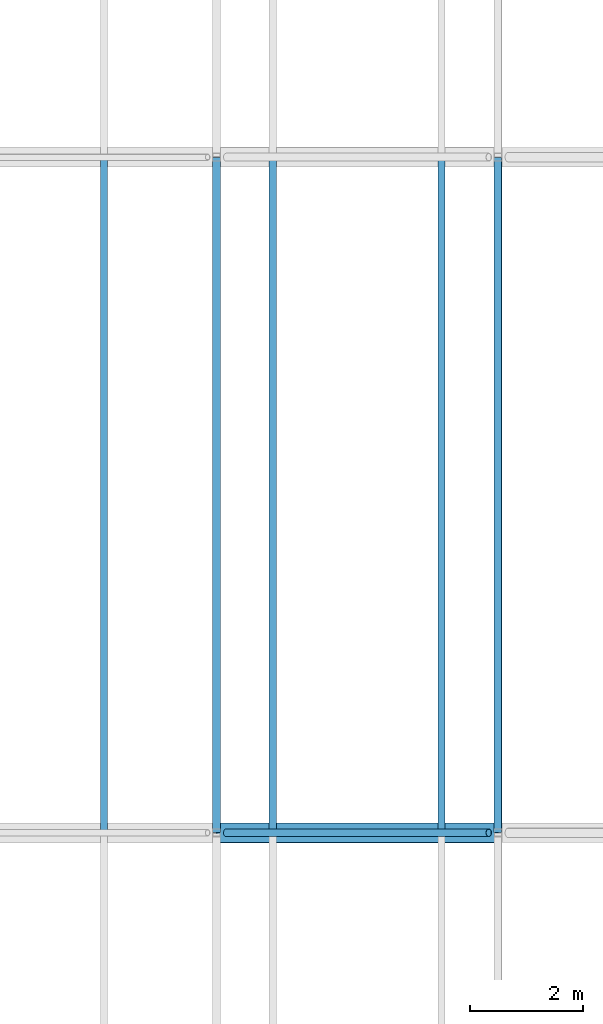
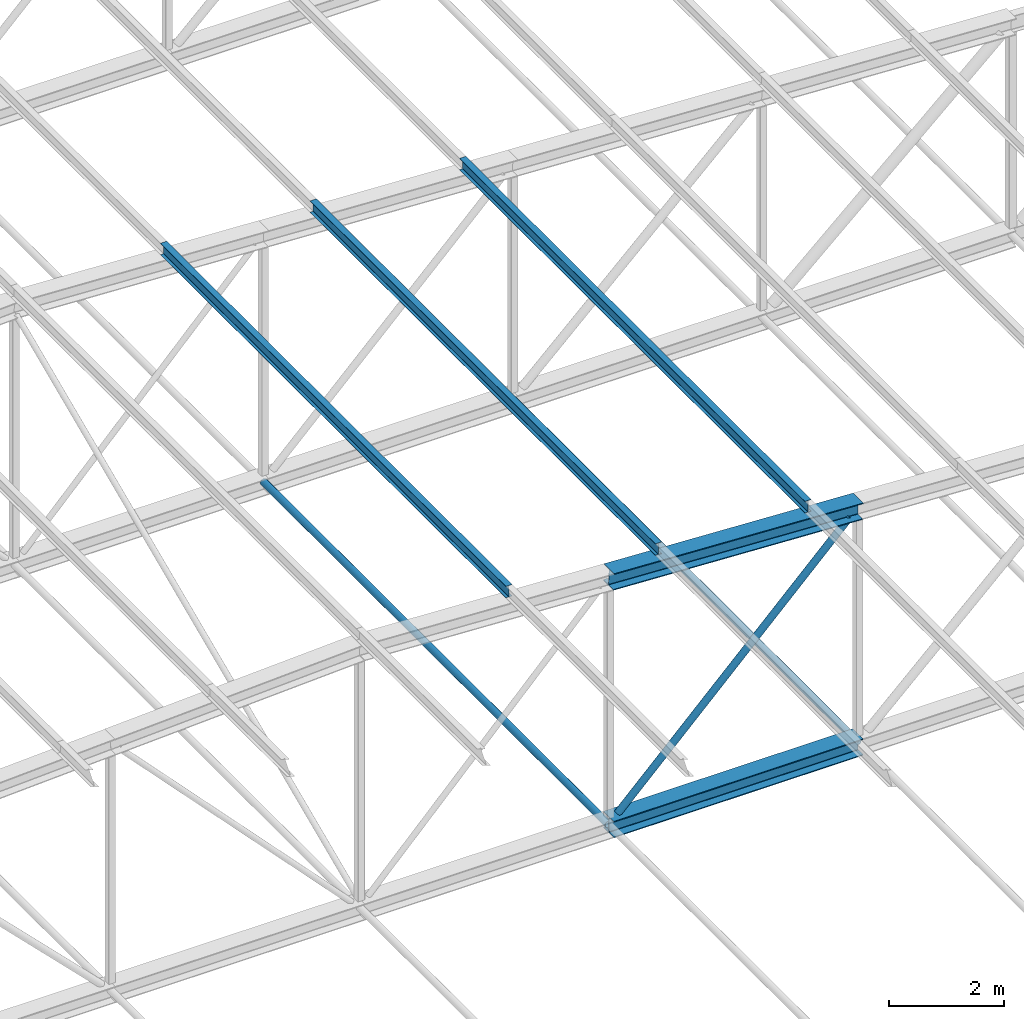
# One storey, part 58 of 156: 8 members.
"""IFC4 building model written with IfcOpenShell, lengths in metres."""

from ifc_helpers import new_model, si_unit, direction, frame, origin, origin_2d, place, context, subcontext, project, spatial, hollow_circle, i_section, extrude, material, material_profile, profile_set, type_object, element, save


model = new_model("IFC4")

# Units and contexts
model_context = context("Model", 3, precision=1e-05, world=origin(), true_north=direction((0.0, 1.0)))
body_context = subcontext(model_context, "Body", "Model", "MODEL_VIEW")
ifc_project = project(units=[si_unit("LENGTHUNIT", "METRE"), si_unit("AREAUNIT", "SQUARE_METRE"), si_unit("VOLUMEUNIT", "CUBIC_METRE"), si_unit("PLANEANGLEUNIT", "RADIAN"), si_unit("MASSUNIT", "GRAM", prefix="KILO")], contexts=[model_context])

# Site, building, storey
site_placement = place(None, origin())
site = spatial("IfcSite", under=ifc_project, at=site_placement, CompositionType="ELEMENT")
building_placement = place(site_placement, origin())
building = spatial("IfcBuilding", under=site, at=building_placement, Name="Lilac Gate Convention Centre", CompositionType="ELEMENT")
storey_placement = place(building_placement, frame((0.0, 0.0, 17.0)))
storey = spatial("IfcBuildingStorey", under=building, at=storey_placement, Name="L03", CompositionType="ELEMENT", Elevation=17.0)

# Members
ifc_material = material(Name="Steel Q355B", Category="steel")
ifc_material_profile_1 = material_profile(ifc_material, hollow_circle(Radius=0.06982421875, WallThickness=0.0048828125, at=origin_2d()), Name="CHS139.7x5")
ifc_profile_set_1 = profile_set([ifc_material_profile_1], Name="Steel Q355B")
member_type_1 = type_object("IfcMemberType", Name="Bottom chord tie CHS139.7x5", PredefinedType="STRUT", material=ifc_profile_set_1)
member_1_placement = place(storey_placement, frame((65.0, 102.009521484375, 0.0), z_axis=(0.0, 1.0, 0.0), x_axis=(-1.0, 0.0, 0.0)))
element("IfcMember", 1, at=member_1_placement, inside=storey, type_object=member_type_1, Name="ST1 tie bay 7 node 8", PredefinedType="STRUT", context=body_context, shape_type="SweptSolid", body=[
    extrude(hollow_circle(Radius=0.06982421875, WallThickness=0.0048828125, at=origin_2d()), origin(), (0.0, 0.0, 1.0), 11.98095703125),
])
member_2_placement = place(storey_placement, frame((70.0, 102.006103515625, 0.0), z_axis=(0.0, 1.0, 0.0), x_axis=(-1.0, 0.0, 0.0)))
element("IfcMember", 2, at=member_2_placement, inside=storey, type_object=member_type_1, Name="ST1 tie bay 7 node 9", PredefinedType="STRUT", context=body_context, shape_type="SweptSolid", body=[
    extrude(hollow_circle(Radius=0.06982421875, WallThickness=0.0048828125, at=origin_2d()), origin(), (0.0, 0.0, 1.0), 11.98779296875),
])
ifc_material_profile_2 = material_profile(ifc_material, i_section(OverallWidth=0.125, OverallDepth=0.25, WebThickness=0.006103515625, FlangeThickness=0.009033203125, FilletRadius=0.008056640625, at=origin_2d()), Name="HN250x125x6x9")
ifc_profile_set_2 = profile_set([ifc_material_profile_2], Name="Steel Q355B")
member_type_2 = type_object("IfcMemberType", Name="Roof purlin HN250x125x6x9", PredefinedType="PURLIN", material=ifc_profile_set_2)
for number, where, z_axis, x_axis, name in (
    (3, (63.0, 102.0, 5.650146484375), (0.0, 1.0, 0.0), (-1.0, 0.0, 0.0), "PU2 purlin bay 7 line 12"),
    (4, (66.0, 102.0, 5.500244140625), (0.0, 1.0, 0.0), (-1.0, 0.0, 0.0), "PU2 purlin bay 7 line 13"),
    (5, (69.0, 102.0, 5.35009765625), (0.0, 1.0, 0.0), (-1.0, 0.0, 0.0), "PU2 purlin bay 7 line 14"),
):
    element("IfcMember", number, at=place(storey_placement, frame(where, z_axis=z_axis, x_axis=x_axis)), inside=storey, type_object=member_type_2, Name=name, PredefinedType="PURLIN", context=body_context, shape_type="SweptSolid", body=[
        extrude(i_section(OverallWidth=0.125, OverallDepth=0.25, WebThickness=0.006103515625, FlangeThickness=0.009033203125, FilletRadius=0.008056640625, at=origin_2d()), origin(), (0.0, 0.0, 1.0), 12.0),
    ])
ifc_material_profile_3 = material_profile(ifc_material, i_section(OverallWidth=0.35693359375, OverallDepth=0.35009765625, WebThickness=0.01904296875, FlangeThickness=0.01904296875, FilletRadius=0.012939453125, at=origin_2d()), Name="HW350x357x19x19")
ifc_profile_set_3 = profile_set([ifc_material_profile_3], Name="Steel Q355B")
member_type_3 = type_object("IfcMemberType", Name="Truss bottom chord HW350x357x19x19", PredefinedType="CHORD", material=ifc_profile_set_3)
member_3_placement = place(storey_placement, frame((65.0, 102.0, 0.0), z_axis=(1.0, 0.0, 0.0), x_axis=(0.0, 1.0, 0.0)))
element("IfcMember", 6, at=member_3_placement, inside=storey, type_object=member_type_3, Name="TB3 truss 7 bottom chord 8", PredefinedType="CHORD", context=body_context, shape_type="SweptSolid", body=[
    extrude(i_section(OverallWidth=0.35693359375, OverallDepth=0.35009765625, WebThickness=0.01904296875, FlangeThickness=0.01904296875, FilletRadius=0.012939453125, at=origin_2d()), origin(), (0.0, 0.0, 1.0), 5.0),
])
ifc_material_profile_4 = material_profile(ifc_material, hollow_circle(Radius=0.06982421875, WallThickness=0.006103515625, at=origin_2d()), Name="CHS139.7x6")
ifc_profile_set_4 = profile_set([ifc_material_profile_4], Name="Steel Q355B")
member_type_4 = type_object("IfcMemberType", Name="Truss diagonal CHS139.7x6", PredefinedType="BRACE", material=ifc_profile_set_4)
member_4_placement = place(storey_placement, frame((69.835693359375, 102.0, 4.835693359375), z_axis=(-0.707106781187, 0.0, -0.707106781187), x_axis=(0.0, -1.0, 0.0)))
element("IfcMember", 7, at=member_4_placement, inside=storey, type_object=member_type_4, Name="TW5 truss 7 diagonal 8", PredefinedType="BRACE", context=body_context, shape_type="SweptSolid", body=[
    extrude(hollow_circle(Radius=0.06982421875, WallThickness=0.006103515625, at=origin_2d()), origin(), (0.0, 0.0, 1.0), 6.591064453125),
])
ifc_material_profile_5 = material_profile(ifc_material, i_section(OverallWidth=0.35009765625, OverallDepth=0.35009765625, WebThickness=0.011962890625, FlangeThickness=0.01904296875, FilletRadius=0.012939453125, at=origin_2d()), Name="HW350x350x12x19")
ifc_profile_set_5 = profile_set([ifc_material_profile_5], Name="Steel Q355B")
member_type_5 = type_object("IfcMemberType", Name="Truss top chord HW350x350x12x19", PredefinedType="CHORD", material=ifc_profile_set_5)
member_5_placement = place(storey_placement, frame((65.0, 102.0, 5.25), z_axis=(0.998752338878, 0.0, -0.049937616944), x_axis=(0.0, 1.0, 0.0)))
element("IfcMember", 8, at=member_5_placement, inside=storey, type_object=member_type_5, Name="TT2 truss 7 top chord 8", PredefinedType="CHORD", context=body_context, shape_type="SweptSolid", body=[
    extrude(i_section(OverallWidth=0.35009765625, OverallDepth=0.35009765625, WebThickness=0.011962890625, FlangeThickness=0.01904296875, FilletRadius=0.012939453125, at=origin_2d()), origin(), (0.0, 0.0, 1.0), 5.00634765625),
])

save(model, "model.ifc")
